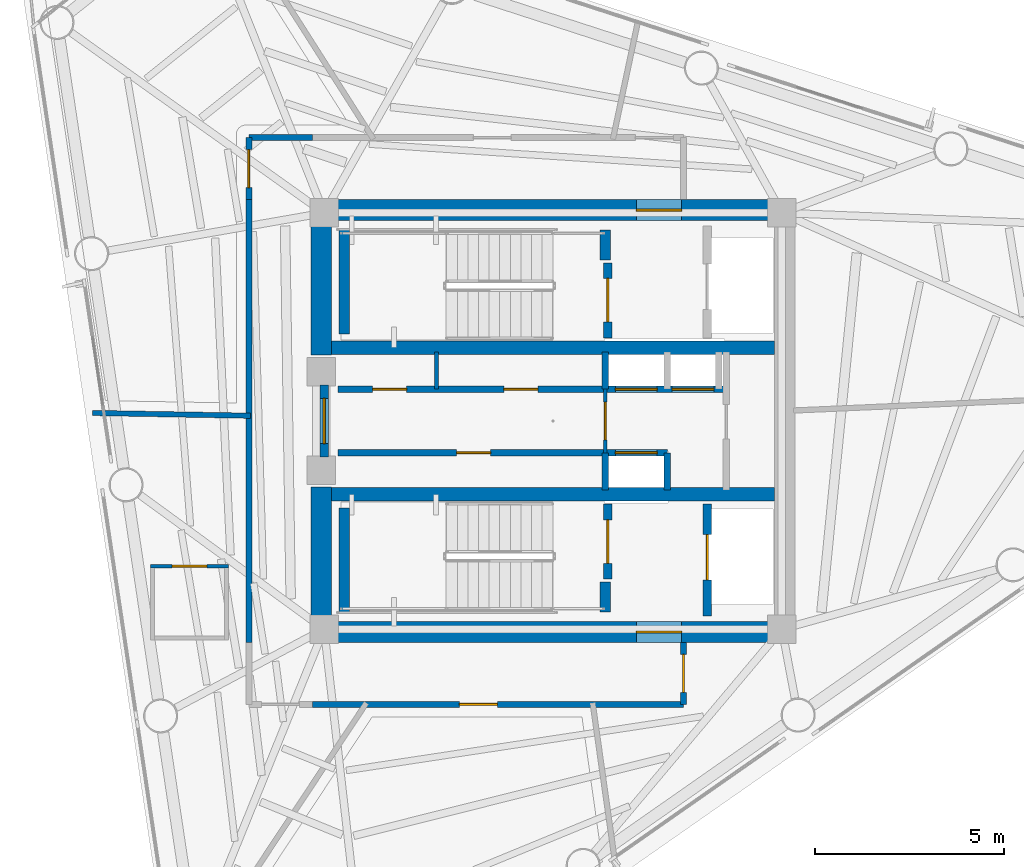
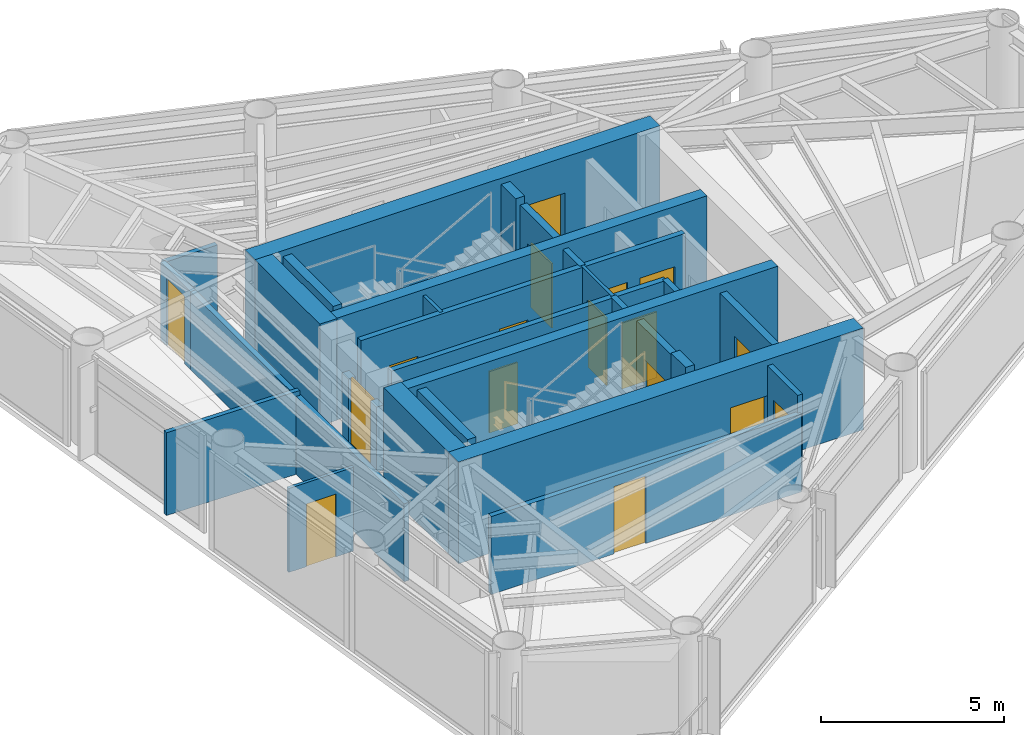
# One storey, part 5 of 10: 28 walls, 17 doors, 17 openings.
"""IFC4 building model written with IfcOpenShell, lengths in metres."""

from ifc_helpers import new_model, si_unit, direction, frame, frame_2d, origin, place, context, subcontext, project, spatial, rectangle, extrude, material, layer, layer_set, type_object, element, fill, save


model = new_model("IFC4")

# Units and contexts
model_context = context("Model", 3, precision=1e-05, world=origin(), true_north=direction((0.0, 1.0)))
body_context = subcontext(model_context, "Body", "Model", "MODEL_VIEW")
ifc_project = project(units=[si_unit("LENGTHUNIT", "METRE"), si_unit("AREAUNIT", "SQUARE_METRE"), si_unit("VOLUMEUNIT", "CUBIC_METRE"), si_unit("PLANEANGLEUNIT", "RADIAN"), si_unit("MASSUNIT", "GRAM", prefix="KILO")], contexts=[model_context])

# Site, building, storey
site_placement = place(None, origin())
site = spatial("IfcSite", under=ifc_project, at=site_placement, CompositionType="ELEMENT")
building_placement = place(site_placement, origin())
building = spatial("IfcBuilding", under=site, at=building_placement, Name="Yunling Apex Tower", CompositionType="ELEMENT")
storey_placement = place(building_placement, frame((0.0, 0.0, 277.949951171875)))
storey = spatial("IfcBuildingStorey", under=building, at=storey_placement, Name="L68", CompositionType="ELEMENT", Elevation=277.949951171875)

# Wall, opening, door
ifc_material_1 = material(Name="Concrete C40", Category="concrete")
ifc_layer_1 = layer(ifc_material_1, 0.550048828125)
ifc_layer_set_1 = layer_set([ifc_layer_1], Name="Concrete C40")
wall_type_1 = type_object("IfcWallType", Name="WL-COR-3", PredefinedType="SHEAR", material=ifc_layer_set_1)
wall_1_placement = place(storey_placement, frame((-6.39990234375, 5.574951171875, 0.0), z_axis=(0.0, 0.0, 1.0), x_axis=(1.0, 0.0, 0.0)))
wall_1 = element("IfcWall", 1, at=wall_1_placement, inside=storey, type_object=wall_type_1, Name="L68 North Core Shear Wall", PredefinedType="SHEAR", context=body_context, shape_type="SweptSolid", body=[
    extrude(rectangle(XDim=12.7998046875, YDim=0.550048828125, at=frame_2d((6.39990234375, 0.0))), origin(), (0.0, 0.0, 1.0), 3.400146484375),
])
opening_1_placement = place(wall_1_placement, frame((8.60009765625, 0.0, 0.0)))
opening_1 = element("IfcOpeningElement", 2, at=opening_1_placement, cuts=wall_1, Name="Opening DR-FFL-1", PredefinedType="OPENING", context=body_context, shape_type="SweptSolid", body=[
    extrude(rectangle(XDim=1.199951171875, YDim=2.199951171875, at=frame_2d((0.60009765625, 1.10009765625))), frame((0.0, 0.28515625, 0.0), z_axis=(0.0, -1.0, 0.0), x_axis=(1.0, 0.0, 0.0)), (0.0, 0.0, 1.0), 0.570068359375),
])
ifc_material_2 = material(Name="Steel Q355B", Category="steel")
door_type_1 = type_object("IfcDoorType", Name="DR-FFL-1", OperationType="NOTDEFINED", PredefinedType="DOOR", material=ifc_material_2)
door_1_placement = place(opening_1_placement, origin())
door_1 = element("IfcDoor", 3, at=door_1_placement, inside=storey, type_object=door_type_1, Name="L68 North Firefighting Lobby Door", OperationType="SINGLE_SWING_LEFT", OverallHeight=2.199951171875, OverallWidth=1.199951171875, PredefinedType="DOOR", context=body_context, shape_type="SweptSolid", body=[
    extrude(rectangle(XDim=1.199951171875, YDim=2.199951171875, at=frame_2d((0.60009765625, 1.10009765625))), frame((0.0, 0.02490234375, 0.0), z_axis=(0.0, -1.0, 0.0), x_axis=(1.0, 0.0, 0.0)), (0.0, 0.0, 1.0), 0.050048828125),
])
fill(opening_1, door_1)

wall_2_placement = place(storey_placement, frame((-6.39990234375, -5.574951171875, 0.0), z_axis=(0.0, 0.0, 1.0), x_axis=(1.0, 0.0, 0.0)))
wall_2 = element("IfcWall", 4, at=wall_2_placement, inside=storey, type_object=wall_type_1, Name="L68 South Core Shear Wall", PredefinedType="SHEAR", context=body_context, shape_type="SweptSolid", body=[
    extrude(rectangle(XDim=12.7998046875, YDim=0.550048828125, at=frame_2d((6.39990234375, 0.0))), origin(), (0.0, 0.0, 1.0), 3.400146484375),
])
opening_2_placement = place(wall_2_placement, frame((8.60009765625, 0.0, 0.0)))
opening_2 = element("IfcOpeningElement", 5, at=opening_2_placement, cuts=wall_2, Name="Opening DR-FFL-1", PredefinedType="OPENING", context=body_context, shape_type="SweptSolid", body=[
    extrude(rectangle(XDim=1.199951171875, YDim=2.199951171875, at=frame_2d((0.60009765625, 1.10009765625))), frame((0.0, 0.28515625, 0.0), z_axis=(0.0, -1.0, 0.0), x_axis=(1.0, 0.0, 0.0)), (0.0, 0.0, 1.0), 0.570068359375),
])
door_2_placement = place(opening_2_placement, origin())
door_2 = element("IfcDoor", 6, at=door_2_placement, inside=storey, type_object=door_type_1, Name="L68 South Firefighting Lobby Door", OperationType="SINGLE_SWING_RIGHT", OverallHeight=2.199951171875, OverallWidth=1.199951171875, PredefinedType="DOOR", context=body_context, shape_type="SweptSolid", body=[
    extrude(rectangle(XDim=1.199951171875, YDim=2.199951171875, at=frame_2d((0.60009765625, 1.10009765625))), frame((0.0, 0.02490234375, 0.0), z_axis=(0.0, -1.0, 0.0), x_axis=(1.0, 0.0, 0.0)), (0.0, 0.0, 1.0), 0.050048828125),
])
fill(opening_2, door_2)

# Walls
for number, where, z_axis, x_axis, name in (
    (7, (-6.125, -5.300048828125, 0.0), (0.0, 0.0, 1.0), (0.0, 1.0, 0.0), "L68 West-South Core Shear Wall"),
    (8, (-6.125, 1.75, 0.0), (0.0, 0.0, 1.0), (0.0, 1.0, 0.0), "L68 West-North Core Shear Wall"),
):
    element("IfcWall", number, at=place(storey_placement, frame(where, z_axis=z_axis, x_axis=x_axis)), inside=storey, type_object=wall_type_1, Name=name, PredefinedType="SHEAR", context=body_context, shape_type="SweptSolid", body=[
        extrude(rectangle(XDim=3.550048828125, YDim=0.550048828125, at=frame_2d((1.77490234375, 0.0))), origin(), (0.0, 0.0, 1.0), 3.400146484375),
    ])
ifc_layer_2 = layer(ifc_material_1, 0.360107421875)
ifc_layer_set_2 = layer_set([ifc_layer_2], Name="Concrete C40")
wall_type_2 = type_object("IfcWallType", Name="WL-COR-4", PredefinedType="SHEAR", material=ifc_layer_set_2)
for number, where, z_axis, x_axis, name in (
    (9, (-5.85009765625, 1.93994140625, 0.0), (0.0, 0.0, 1.0), (1.0, 0.0, 0.0), "L68 North Internal Core Shear Wall"),
    (10, (-5.85009765625, -1.93994140625, 0.0), (0.0, 0.0, 1.0), (1.0, 0.0, 0.0), "L68 South Internal Core Shear Wall"),
):
    element("IfcWall", number, at=place(storey_placement, frame(where, z_axis=z_axis, x_axis=x_axis)), inside=storey, type_object=wall_type_2, Name=name, PredefinedType="SHEAR", context=body_context, shape_type="SweptSolid", body=[
        extrude(rectangle(XDim=11.7001953125, YDim=0.360107421875, at=frame_2d((5.85009765625, 0.0))), origin(), (0.0, 0.0, 1.0), 3.400146484375),
    ])
ifc_layer_3 = layer(ifc_material_1, 0.280029296875)
ifc_layer_set_3 = layer_set([ifc_layer_3], Name="Concrete C40")
wall_type_3 = type_object("IfcWallType", Name="WL-COR-8", PredefinedType="SHEAR", material=ifc_layer_set_3)
wall_3_placement = place(storey_placement, frame((-5.52001953125, 2.300048828125, 0.0), z_axis=(0.0, 0.0, 1.0), x_axis=(0.0, 1.0, 0.0)))
element("IfcWall", 11, at=wall_3_placement, inside=storey, type_object=wall_type_3, Name="L68 ST-1 West Landing Bearing Wall", PredefinedType="SHEAR", context=body_context, shape_type="SweptSolid", body=[
    extrude(rectangle(XDim=2.75, YDim=0.280029296875, at=frame_2d((1.375, 0.0))), origin(), (0.0, 0.0, 1.0), 3.400146484375),
])
wall_4_placement = place(storey_placement, frame((1.3798828125, 4.25, 0.0), z_axis=(0.0, 0.0, 1.0), x_axis=(0.0, 1.0, 0.0)))
element("IfcWall", 12, at=wall_4_placement, inside=storey, type_object=wall_type_3, Name="L68 ST-1 East Landing Bearing Pier", PredefinedType="SHEAR", context=body_context, shape_type="SweptSolid", body=[
    extrude(rectangle(XDim=0.800048828125, YDim=0.280029296875, at=frame_2d((0.39990234375, 0.0))), origin(), (0.0, 0.0, 1.0), 3.400146484375),
])
wall_5_placement = place(storey_placement, frame((-5.52001953125, -5.050048828125, 0.0), z_axis=(0.0, 0.0, 1.0), x_axis=(0.0, 1.0, 0.0)))
element("IfcWall", 13, at=wall_5_placement, inside=storey, type_object=wall_type_3, Name="L68 ST-2 West Landing Bearing Wall", PredefinedType="SHEAR", context=body_context, shape_type="SweptSolid", body=[
    extrude(rectangle(XDim=2.75, YDim=0.280029296875, at=frame_2d((1.375, 0.0))), origin(), (0.0, 0.0, 1.0), 3.400146484375),
])
wall_6_placement = place(storey_placement, frame((1.3798828125, -5.050048828125, 0.0), z_axis=(0.0, 0.0, 1.0), x_axis=(0.0, 1.0, 0.0)))
element("IfcWall", 14, at=wall_6_placement, inside=storey, type_object=wall_type_3, Name="L68 ST-2 East Landing Bearing Pier", PredefinedType="SHEAR", context=body_context, shape_type="SweptSolid", body=[
    extrude(rectangle(XDim=0.800048828125, YDim=0.280029296875, at=frame_2d((0.39990234375, 0.0))), origin(), (0.0, 0.0, 1.0), 3.400146484375),
])

# Wall, opening, door
ifc_material_3 = material(Name="Gypsum board acoustic partition")
ifc_layer_4 = layer(ifc_material_3, 0.159912109375)
ifc_layer_set_4 = layer_set([ifc_layer_4], Name="Gypsum board acoustic partition")
wall_type_4 = type_object("IfcWallType", Name="WL-PRT-1", PredefinedType="PARTITIONING", material=ifc_layer_set_4)
wall_7_placement = place(storey_placement, frame((-8.0400390625, 5.85009765625, 0.0), z_axis=(0.0, 0.0, 1.0), x_axis=(0.0, 1.0, 0.0)))
wall_7 = element("IfcWall", 15, at=wall_7_placement, inside=storey, type_object=wall_type_4, Name="WL-CORR-L68-01", PredefinedType="PARTITIONING", context=body_context, shape_type="SweptSolid", body=[
    extrude(rectangle(XDim=1.639892578125, YDim=0.159912109375, at=frame_2d((0.81982421875, 0.0))), origin(), (0.0, 0.0, 1.0), 2.60498046875),
])
opening_3_placement = place(wall_7_placement, frame((0.320068359375, 0.0, 0.0)))
opening_3 = element("IfcOpeningElement", 16, at=opening_3_placement, cuts=wall_7, Name="Opening DR-OFF-1", PredefinedType="OPENING", context=body_context, shape_type="SweptSolid", body=[
    extrude(rectangle(XDim=1.0, YDim=2.25, at=frame_2d((0.5, 1.125))), frame((0.0, 0.08984375, 0.0), z_axis=(0.0, -1.0, 0.0), x_axis=(1.0, 0.0, 0.0)), (0.0, 0.0, 1.0), 0.179931640625),
])
ifc_material_4 = material(Name="Bronze anodised aluminium", Category="aluminium")
door_type_2 = type_object("IfcDoorType", Name="DR-OFF-1", OperationType="NOTDEFINED", PredefinedType="DOOR", material=ifc_material_4)
door_3_placement = place(opening_3_placement, origin())
door_3 = element("IfcDoor", 17, at=door_3_placement, inside=storey, type_object=door_type_2, Name="L68 Private Tea Kitchen Door", OperationType="SINGLE_SWING_LEFT", OverallHeight=2.25, OverallWidth=1.0, PredefinedType="DOOR", context=body_context, shape_type="SweptSolid", body=[
    extrude(rectangle(XDim=1.0, YDim=2.25, at=frame_2d((0.5, 1.125))), frame((0.0, 0.02490234375, 0.0), z_axis=(0.0, -1.0, 0.0), x_axis=(1.0, 0.0, 0.0)), (0.0, 0.0, 1.0), 0.050048828125),
])
fill(opening_3, door_3)

# Wall
wall_8_placement = place(storey_placement, frame((-8.0400390625, 7.489990234375, 0.0), z_axis=(0.0, 0.0, 1.0), x_axis=(1.0, 0.0, 0.0)))
element("IfcWall", 18, at=wall_8_placement, inside=storey, type_object=wall_type_4, Name="WL-CORR-L68-02", PredefinedType="PARTITIONING", context=body_context, shape_type="SweptSolid", body=[
    extrude(rectangle(XDim=1.679931640625, YDim=0.159912109375, at=frame_2d((0.83984375, 0.0))), origin(), (0.0, 0.0, 1.0), 2.60498046875),
])

# Wall, opening, door
wall_9_placement = place(storey_placement, frame((3.449951171875, -5.85009765625, 0.0), z_axis=(0.0, 0.0, 1.0), x_axis=(0.0, -1.0, 0.0)))
wall_9 = element("IfcWall", 19, at=wall_9_placement, inside=storey, type_object=wall_type_4, Name="WL-CORR-L68-05", PredefinedType="PARTITIONING", context=body_context, shape_type="SweptSolid", body=[
    extrude(rectangle(XDim=1.639892578125, YDim=0.159912109375, at=frame_2d((0.81982421875, 0.0))), origin(), (0.0, 0.0, 1.0), 3.199951171875),
])
opening_4_placement = place(wall_9_placement, frame((0.320068359375, 0.0, 0.0)))
opening_4 = element("IfcOpeningElement", 20, at=opening_4_placement, cuts=wall_9, Name="Opening DR-OFF-1", PredefinedType="OPENING", context=body_context, shape_type="SweptSolid", body=[
    extrude(rectangle(XDim=1.0, YDim=2.25, at=frame_2d((0.5, 1.125))), frame((0.0, 0.08984375, 0.0), z_axis=(0.0, -1.0, 0.0), x_axis=(1.0, 0.0, 0.0)), (0.0, 0.0, 1.0), 0.179931640625),
])
door_4_placement = place(opening_4_placement, origin())
door_4 = element("IfcDoor", 21, at=door_4_placement, inside=storey, type_object=door_type_2, Name="L68 Concierge Reception Foyer Door", OperationType="SINGLE_SWING_RIGHT", OverallHeight=2.25, OverallWidth=1.0, PredefinedType="DOOR", context=body_context, shape_type="SweptSolid", body=[
    extrude(rectangle(XDim=1.0, YDim=2.25, at=frame_2d((0.5, 1.125))), frame((0.0, 0.02490234375, 0.0), z_axis=(0.0, -1.0, 0.0), x_axis=(1.0, 0.0, 0.0)), (0.0, 0.0, 1.0), 0.050048828125),
])
fill(opening_4, door_4)

wall_10_placement = place(storey_placement, frame((3.449951171875, -7.489990234375, 0.0), z_axis=(0.0, 0.0, 1.0), x_axis=(-1.0, 0.0, 0.0)))
wall_10 = element("IfcWall", 22, at=wall_10_placement, inside=storey, type_object=wall_type_4, Name="WL-CORR-L68-06", PredefinedType="PARTITIONING", context=body_context, shape_type="SweptSolid", body=[
    extrude(rectangle(XDim=9.81005859375, YDim=0.159912109375, at=frame_2d((4.905029296875, 0.0))), origin(), (0.0, 0.0, 1.0), 2.60498046875),
])
opening_5_placement = place(wall_10_placement, frame((4.923095703125, 0.0, 0.0)))
opening_5 = element("IfcOpeningElement", 23, at=opening_5_placement, cuts=wall_10, Name="Opening DR-OFF-1", PredefinedType="OPENING", context=body_context, shape_type="SweptSolid", body=[
    extrude(rectangle(XDim=1.0, YDim=2.25, at=frame_2d((0.5, 1.125))), frame((0.0, 0.08984375, 0.0), z_axis=(0.0, -1.0, 0.0), x_axis=(1.0, 0.0, 0.0)), (0.0, 0.0, 1.0), 0.179931640625),
])
door_5_placement = place(opening_5_placement, origin())
door_5 = element("IfcDoor", 24, at=door_5_placement, inside=storey, type_object=door_type_2, Name="L68 Private Tea Kitchen Door", OperationType="SINGLE_SWING_LEFT", OverallHeight=2.25, OverallWidth=1.0, PredefinedType="DOOR", context=body_context, shape_type="SweptSolid", body=[
    extrude(rectangle(XDim=1.0, YDim=2.25, at=frame_2d((0.5, 1.125))), frame((0.0, 0.02490234375, 0.0), z_axis=(0.0, -1.0, 0.0), x_axis=(1.0, 0.0, 0.0)), (0.0, 0.0, 1.0), 0.050048828125),
])
fill(opening_5, door_5)

# Walls
wall_11_placement = place(storey_placement, frame((-8.0400390625, -5.85009765625, 0.0), z_axis=(0.0, 0.0, 1.0), x_axis=(0.0, 1.0, 0.0)))
element("IfcWall", 25, at=wall_11_placement, inside=storey, type_object=wall_type_4, Name="WL-CORR-L68-09", PredefinedType="PARTITIONING", context=body_context, shape_type="SweptSolid", body=[
    extrude(rectangle(XDim=11.7001953125, YDim=0.159912109375, at=frame_2d((5.85009765625, 0.0))), origin(), (0.0, 0.0, 1.0), 2.60498046875),
])
ifc_layer_5 = layer(ifc_material_3, 0.139892578125)
ifc_layer_set_5 = layer_set([ifc_layer_5], Name="Gypsum board acoustic partition")
wall_type_5 = type_object("IfcWallType", Name="WL-PRT-2", PredefinedType="PARTITIONING", material=ifc_layer_set_5)
wall_12_placement = place(storey_placement, frame((-8.0, 0.1396484375, 0.0), z_axis=(0.0, 0.0, 1.0), x_axis=(-0.999848132876, 0.017427311435, 0.0)))
element("IfcWall", 26, at=wall_12_placement, inside=storey, type_object=wall_type_5, Name="WL-RAD-L68-04", PredefinedType="PARTITIONING", context=body_context, shape_type="SweptSolid", body=[
    extrude(rectangle(XDim=4.1748046875, YDim=0.139892578125, at=frame_2d((2.08740234375, 0.0))), origin(), (0.0, 0.0, 1.0), 2.76513671875),
])

# Wall, opening, door
ifc_layer_6 = layer(ifc_material_3, 0.10009765625)
ifc_layer_set_6 = layer_set([ifc_layer_6], Name="Gypsum board acoustic partition")
wall_type_6 = type_object("IfcWallType", Name="WL-PRT-4", PredefinedType="PARTITIONING", material=ifc_layer_set_6)
wall_13_placement = place(storey_placement, frame((1.3798828125, -0.840087890625, 0.0), z_axis=(0.0, 0.0, 1.0), x_axis=(0.0, 1.0, 0.0)))
wall_13 = element("IfcWall", 27, at=wall_13_placement, inside=storey, type_object=wall_type_6, Name="WL-LOB-MID-L68", PredefinedType="PARTITIONING", context=body_context, shape_type="SweptSolid", body=[
    extrude(rectangle(XDim=1.68017578125, YDim=0.10009765625, at=frame_2d((0.840087890625, 0.0))), origin(), (0.0, 0.0, 1.0), 3.199951171875),
])
opening_6_placement = place(wall_13_placement, frame((0.340087890625, 0.0, 0.0)))
opening_6 = element("IfcOpeningElement", 28, at=opening_6_placement, cuts=wall_13, Name="Opening DR-OFF-1", PredefinedType="OPENING", context=body_context, shape_type="SweptSolid", body=[
    extrude(rectangle(XDim=1.0, YDim=2.25, at=frame_2d((0.5, 1.125))), frame((0.0, 0.06005859375, 0.0), z_axis=(0.0, -1.0, 0.0), x_axis=(1.0, 0.0, 0.0)), (0.0, 0.0, 1.0), 0.1201171875),
])
door_6_placement = place(opening_6_placement, origin())
door_6 = element("IfcDoor", 29, at=door_6_placement, inside=storey, type_object=door_type_2, Name="L68 Core Lobby Link Door", OperationType="SINGLE_SWING_LEFT", OverallHeight=2.25, OverallWidth=1.0, PredefinedType="DOOR", context=body_context, shape_type="SweptSolid", body=[
    extrude(rectangle(XDim=1.0, YDim=2.25, at=frame_2d((0.5, 1.125))), frame((0.0, 0.02490234375, 0.0), z_axis=(0.0, -1.0, 0.0), x_axis=(1.0, 0.0, 0.0)), (0.0, 0.0, 1.0), 0.050048828125),
])
fill(opening_6, door_6)

# Wall
wall_14_placement = place(storey_placement, frame((-3.080078125, 0.840087890625, 0.0), z_axis=(0.0, 0.0, 1.0), x_axis=(0.0, 1.0, 0.0)))
element("IfcWall", 30, at=wall_14_placement, inside=storey, type_object=wall_type_6, Name="WL-RECLMB-N-L68", PredefinedType="PARTITIONING", context=body_context, shape_type="SweptSolid", body=[
    extrude(rectangle(XDim=0.97998046875, YDim=0.10009765625, at=frame_2d((0.489990234375, 0.0))), origin(), (0.0, 0.0, 1.0), 3.199951171875),
])

# Wall, opening, door
wall_15_placement = place(storey_placement, frame((-10.632080078125, -3.8369140625, 0.0), z_axis=(0.0, 0.0, 1.0), x_axis=(1.0, 0.0, 0.0)))
wall_15 = element("IfcWall", 31, at=wall_15_placement, inside=storey, type_object=wall_type_6, Name="WL-L68-RWC1N", PredefinedType="PARTITIONING", context=body_context, shape_type="SweptSolid", body=[
    extrude(rectangle(XDim=2.050048828125, YDim=0.10009765625, at=frame_2d((1.02490234375, 0.0))), origin(), (0.0, 0.0, 1.0), 2.804931640625),
])
opening_7_placement = place(wall_15_placement, frame((0.56494140625, 0.0, 0.0)))
opening_7 = element("IfcOpeningElement", 32, at=opening_7_placement, cuts=wall_15, Name="Opening DR-WC-1", PredefinedType="OPENING", context=body_context, shape_type="SweptSolid", body=[
    extrude(rectangle(XDim=0.919921875, YDim=2.10009765625, at=frame_2d((0.4599609375, 1.050048828125))), frame((0.0, 0.06005859375, 0.0), z_axis=(0.0, -1.0, 0.0), x_axis=(1.0, 0.0, 0.0)), (0.0, 0.0, 1.0), 0.1201171875),
])
ifc_material_5 = material(Name="Timber moisture-resistant leaf", Category="wood")
door_type_3 = type_object("IfcDoorType", Name="DR-WC-1", OperationType="NOTDEFINED", PredefinedType="DOOR", material=ifc_material_5)
door_7_placement = place(opening_7_placement, origin())
door_7 = element("IfcDoor", 33, at=door_7_placement, inside=storey, type_object=door_type_3, Name="L68 Accessible WC Door", OperationType="SINGLE_SWING_RIGHT", OverallHeight=2.10009765625, OverallWidth=0.919921875, PredefinedType="DOOR", context=body_context, shape_type="SweptSolid", body=[
    extrude(rectangle(XDim=0.919921875, YDim=2.10009765625, at=frame_2d((0.4599609375, 1.050048828125))), frame((0.0, 0.02490234375, 0.0), z_axis=(0.0, -1.0, 0.0), x_axis=(1.0, 0.0, 0.0)), (0.0, 0.0, 1.0), 0.050048828125),
])
fill(opening_7, door_7)

ifc_material_6 = material(Name="Autoclaved aerated concrete masonry", Category="masonry")
ifc_layer_7 = layer(ifc_material_6, 0.219970703125)
ifc_layer_set_7 = layer_set([ifc_layer_7], Name="Autoclaved aerated concrete masonry")
wall_type_7 = type_object("IfcWallType", Name="WL-SHF-1", PredefinedType="PLUMBINGWALL", material=ifc_layer_set_7)
wall_16_placement = place(storey_placement, frame((-6.050048828125, -0.949951171875, 0.0), z_axis=(0.0, 0.0, 1.0), x_axis=(0.0, 1.0, 0.0)))
wall_16 = element("IfcWall", 34, at=wall_16_placement, inside=storey, type_object=wall_type_7, Name="WL-COR-WPORT-L68", PredefinedType="PLUMBINGWALL", context=body_context, shape_type="SweptSolid", body=[
    extrude(rectangle(XDim=1.89990234375, YDim=0.219970703125, at=frame_2d((0.949951171875, 0.0))), origin(), (0.0, 0.0, 1.0), 2.179931640625),
])
opening_8_placement = place(wall_16_placement, frame((0.35009765625, 0.0, 0.0)))
opening_8 = element("IfcOpeningElement", 35, at=opening_8_placement, cuts=wall_16, Name="Opening DR-FFL-1", PredefinedType="OPENING", context=body_context, shape_type="SweptSolid", body=[
    extrude(rectangle(XDim=1.199951171875, YDim=2.199951171875, at=frame_2d((0.60009765625, 1.10009765625))), frame((0.0, 0.1201171875, 0.0), z_axis=(0.0, -1.0, 0.0), x_axis=(1.0, 0.0, 0.0)), (0.0, 0.0, 1.0), 0.239990234375),
])
door_8_placement = place(opening_8_placement, origin())
door_8 = element("IfcDoor", 36, at=door_8_placement, inside=storey, type_object=door_type_1, Name="L68 Passenger Lift Lobby Entrance Door", OperationType="SINGLE_SWING_LEFT", OverallHeight=2.199951171875, OverallWidth=1.199951171875, PredefinedType="DOOR", context=body_context, shape_type="SweptSolid", body=[
    extrude(rectangle(XDim=1.199951171875, YDim=2.199951171875, at=frame_2d((0.60009765625, 1.10009765625))), frame((0.0, 0.02490234375, 0.0), z_axis=(0.0, -1.0, 0.0), x_axis=(1.0, 0.0, 0.0)), (0.0, 0.0, 1.0), 0.050048828125),
])
fill(opening_8, door_8)

wall_17_placement = place(storey_placement, frame((1.449951171875, 2.199951171875, 0.0), z_axis=(0.0, 0.0, 1.0), x_axis=(0.0, 1.0, 0.0)))
wall_17 = element("IfcWall", 37, at=wall_17_placement, inside=storey, type_object=wall_type_7, Name="WL-ST1-E-L68", PredefinedType="PLUMBINGWALL", context=body_context, shape_type="SweptSolid", body=[
    extrude(rectangle(XDim=1.97998046875, YDim=0.219970703125, at=frame_2d((0.989990234375, 0.0))), origin(), (0.0, 0.0, 1.0), 3.199951171875),
])
opening_9_placement = place(wall_17_placement, frame((0.419921875, 0.0, 0.0)))
opening_9 = element("IfcOpeningElement", 38, at=opening_9_placement, cuts=wall_17, Name="Opening DR-ST-1", PredefinedType="OPENING", context=body_context, shape_type="SweptSolid", body=[
    extrude(rectangle(XDim=1.14990234375, YDim=2.14990234375, at=frame_2d((0.574951171875, 1.074951171875))), frame((0.0, 0.1201171875, 0.0), z_axis=(0.0, -1.0, 0.0), x_axis=(1.0, 0.0, 0.0)), (0.0, 0.0, 1.0), 0.239990234375),
])
door_type_4 = type_object("IfcDoorType", Name="DR-ST-1", OperationType="NOTDEFINED", PredefinedType="DOOR", material=ifc_material_2)
door_9_placement = place(opening_9_placement, origin())
door_9 = element("IfcDoor", 39, at=door_9_placement, inside=storey, type_object=door_type_4, Name="L68 Stair ST-1 Fire Door", OperationType="SINGLE_SWING_LEFT", OverallHeight=2.14990234375, OverallWidth=1.14990234375, PredefinedType="DOOR", context=body_context, shape_type="SweptSolid", body=[
    extrude(rectangle(XDim=1.14990234375, YDim=2.14990234375, at=frame_2d((0.574951171875, 1.074951171875))), frame((0.0, 0.02490234375, 0.0), z_axis=(0.0, -1.0, 0.0), x_axis=(1.0, 0.0, 0.0)), (0.0, 0.0, 1.0), 0.050048828125),
])
fill(opening_9, door_9)

wall_18_placement = place(storey_placement, frame((1.449951171875, -4.179931640625, 0.0), z_axis=(0.0, 0.0, 1.0), x_axis=(0.0, 1.0, 0.0)))
wall_18 = element("IfcWall", 40, at=wall_18_placement, inside=storey, type_object=wall_type_7, Name="WL-ST2-E-L68", PredefinedType="PLUMBINGWALL", context=body_context, shape_type="SweptSolid", body=[
    extrude(rectangle(XDim=1.97998046875, YDim=0.219970703125, at=frame_2d((0.989990234375, 0.0))), origin(), (0.0, 0.0, 1.0), 3.199951171875),
])
opening_10_placement = place(wall_18_placement, frame((0.419921875, 0.0, 0.0)))
opening_10 = element("IfcOpeningElement", 41, at=opening_10_placement, cuts=wall_18, Name="Opening DR-ST-1", PredefinedType="OPENING", context=body_context, shape_type="SweptSolid", body=[
    extrude(rectangle(XDim=1.14990234375, YDim=2.14990234375, at=frame_2d((0.574951171875, 1.074951171875))), frame((0.0, 0.1201171875, 0.0), z_axis=(0.0, -1.0, 0.0), x_axis=(1.0, 0.0, 0.0)), (0.0, 0.0, 1.0), 0.239990234375),
])
door_10_placement = place(opening_10_placement, origin())
door_10 = element("IfcDoor", 42, at=door_10_placement, inside=storey, type_object=door_type_4, Name="L68 Stair ST-2 Fire Door", OperationType="SINGLE_SWING_RIGHT", OverallHeight=2.14990234375, OverallWidth=1.14990234375, PredefinedType="DOOR", context=body_context, shape_type="SweptSolid", body=[
    extrude(rectangle(XDim=1.14990234375, YDim=2.14990234375, at=frame_2d((0.574951171875, 1.074951171875))), frame((0.0, 0.02490234375, 0.0), z_axis=(0.0, -1.0, 0.0), x_axis=(1.0, 0.0, 0.0)), (0.0, 0.0, 1.0), 0.050048828125),
])
fill(opening_10, door_10)

wall_19_placement = place(storey_placement, frame((4.080078125, -5.14990234375, 0.0), z_axis=(0.0, 0.0, 1.0), x_axis=(0.0, 1.0, 0.0)))
wall_19 = element("IfcWall", 43, at=wall_19_placement, inside=storey, type_object=wall_type_7, Name="WL-FFL2-W-L68", PredefinedType="PLUMBINGWALL", context=body_context, shape_type="SweptSolid", body=[
    extrude(rectangle(XDim=2.949951171875, YDim=0.219970703125, at=frame_2d((1.47509765625, 0.0))), origin(), (0.0, 0.0, 1.0), 3.199951171875),
])
opening_11_placement = place(wall_19_placement, frame((0.949951171875, 0.0, 0.0)))
opening_11 = element("IfcOpeningElement", 44, at=opening_11_placement, cuts=wall_19, Name="Opening LD-FFL-1", PredefinedType="OPENING", context=body_context, shape_type="SweptSolid", body=[
    extrude(rectangle(XDim=1.199951171875, YDim=2.25, at=frame_2d((0.60009765625, 1.125))), frame((0.0, 0.1201171875, 0.0), z_axis=(0.0, -1.0, 0.0), x_axis=(1.0, 0.0, 0.0)), (0.0, 0.0, 1.0), 0.239990234375),
])
door_type_5 = type_object("IfcDoorType", Name="LD-FFL-1", OperationType="DOUBLE_DOOR_SLIDING", PredefinedType="DOOR", material=ifc_material_2)
door_11_placement = place(opening_11_placement, origin())
door_11 = element("IfcDoor", 45, at=door_11_placement, inside=storey, type_object=door_type_5, Name="L68 Lift FFL-2 Landing Door", OperationType="DOUBLE_DOOR_SLIDING", OverallHeight=2.25, OverallWidth=1.199951171875, PredefinedType="DOOR", context=body_context, shape_type="SweptSolid", body=[
    extrude(rectangle(XDim=1.199951171875, YDim=2.25, at=frame_2d((0.60009765625, 1.125))), frame((0.0, 0.02490234375, 0.0), z_axis=(0.0, -1.0, 0.0), x_axis=(1.0, 0.0, 0.0)), (0.0, 0.0, 1.0), 0.050048828125),
])
fill(opening_11, door_11)

# Walls
ifc_layer_8 = layer(ifc_material_6, 0.179931640625)
ifc_layer_set_8 = layer_set([ifc_layer_8], Name="Autoclaved aerated concrete masonry")
wall_type_8 = type_object("IfcWallType", Name="WL-SHF-2", PredefinedType="PLUMBINGWALL", material=ifc_layer_set_8)
for number, where, z_axis, x_axis, name in (
    (46, (1.3798828125, 0.840087890625, 0.0), (0.0, 0.0, 1.0), (0.0, 1.0, 0.0), "WL-BNK-MH-N-L68"),
    (47, (1.3798828125, -1.820068359375, 0.0), (0.0, 0.0, 1.0), (0.0, 1.0, 0.0), "WL-BNK-MH-S-L68"),
    (48, (3.02001953125, -1.820068359375, 0.0), (0.0, 0.0, 1.0), (0.0, 1.0, 0.0), "WL-END-H2E-L68"),
):
    element("IfcWall", number, at=place(storey_placement, frame(where, z_axis=z_axis, x_axis=x_axis)), inside=storey, type_object=wall_type_8, Name=name, PredefinedType="PLUMBINGWALL", context=body_context, shape_type="SweptSolid", body=[
        extrude(rectangle(XDim=0.97998046875, YDim=0.179931640625, at=frame_2d((0.489990234375, 0.0))), origin(), (0.0, 0.0, 1.0), 3.199951171875),
    ])

# Wall, openings, doors
wall_20_placement = place(storey_placement, frame((-5.679931640625, 0.840087890625, 0.0), z_axis=(0.0, 0.0, 1.0), x_axis=(1.0, 0.0, 0.0)))
wall_20 = element("IfcWall", 49, at=wall_20_placement, inside=storey, type_object=wall_type_8, Name="WL-LOB-N-L68", PredefinedType="PLUMBINGWALL", context=body_context, shape_type="SweptSolid", body=[
    extrude(rectangle(XDim=10.260009765625, YDim=0.179931640625, at=frame_2d((5.1298828125, 0.0))), origin(), (0.0, 0.0, 1.0), 3.199951171875),
])
opening_12_placement = place(wall_20_placement, frame((0.909912109375, 0.0, 0.0)))
opening_12 = element("IfcOpeningElement", 50, at=opening_12_placement, cuts=wall_20, Name="Opening DR-SHF-1", PredefinedType="OPENING", context=body_context, shape_type="SweptSolid", body=[
    extrude(rectangle(XDim=0.89990234375, YDim=2.050048828125, at=frame_2d((0.449951171875, 1.02490234375))), frame((0.0, 0.10009765625, 0.0), z_axis=(0.0, -1.0, 0.0), x_axis=(1.0, 0.0, 0.0)), (0.0, 0.0, 1.0), 0.199951171875),
])
opening_13_placement = place(wall_20_placement, frame((4.3798828125, 0.0, 0.0)))
opening_13 = element("IfcOpeningElement", 51, at=opening_13_placement, cuts=wall_20, Name="Opening DR-SHF-1", PredefinedType="OPENING", context=body_context, shape_type="SweptSolid", body=[
    extrude(rectangle(XDim=0.89990234375, YDim=2.050048828125, at=frame_2d((0.449951171875, 1.02490234375))), frame((0.0, 0.10009765625, 0.0), z_axis=(0.0, -1.0, 0.0), x_axis=(1.0, 0.0, 0.0)), (0.0, 0.0, 1.0), 0.199951171875),
])
opening_14_placement = place(wall_20_placement, frame((7.330078125, 0.0, 0.0)))
opening_14 = element("IfcOpeningElement", 52, at=opening_14_placement, cuts=wall_20, Name="Opening LD-PAS-1", PredefinedType="OPENING", context=body_context, shape_type="SweptSolid", body=[
    extrude(rectangle(XDim=1.10009765625, YDim=2.199951171875, at=frame_2d((0.550048828125, 1.10009765625))), frame((0.0, 0.10009765625, 0.0), z_axis=(0.0, -1.0, 0.0), x_axis=(1.0, 0.0, 0.0)), (0.0, 0.0, 1.0), 0.199951171875),
])
opening_15_placement = place(wall_20_placement, frame((8.830078125, 0.0, 0.0)))
opening_15 = element("IfcOpeningElement", 53, at=opening_15_placement, cuts=wall_20, Name="Opening LD-PAS-1", PredefinedType="OPENING", context=body_context, shape_type="SweptSolid", body=[
    extrude(rectangle(XDim=1.10009765625, YDim=2.199951171875, at=frame_2d((0.550048828125, 1.10009765625))), frame((0.0, 0.10009765625, 0.0), z_axis=(0.0, -1.0, 0.0), x_axis=(1.0, 0.0, 0.0)), (0.0, 0.0, 1.0), 0.199951171875),
])
door_type_6 = type_object("IfcDoorType", Name="DR-SHF-1", OperationType="NOTDEFINED", PredefinedType="DOOR", material=ifc_material_2)
door_12_placement = place(opening_12_placement, origin())
door_12 = element("IfcDoor", 54, at=door_12_placement, inside=storey, type_object=door_type_6, Name="L68 Switchgear Plant Door", OperationType="SINGLE_SWING_LEFT", OverallHeight=2.050048828125, OverallWidth=0.89990234375, PredefinedType="DOOR", context=body_context, shape_type="SweptSolid", body=[
    extrude(rectangle(XDim=0.89990234375, YDim=2.050048828125, at=frame_2d((0.449951171875, 1.02490234375))), frame((0.0, 0.02490234375, 0.0), z_axis=(0.0, -1.0, 0.0), x_axis=(1.0, 0.0, 0.0)), (0.0, 0.0, 1.0), 0.050048828125),
])
fill(opening_12, door_12)
door_13_placement = place(opening_13_placement, origin())
door_13 = element("IfcDoor", 55, at=door_13_placement, inside=storey, type_object=door_type_6, Name="L68 Valet Storage Door", OperationType="SINGLE_SWING_RIGHT", OverallHeight=2.050048828125, OverallWidth=0.89990234375, PredefinedType="DOOR", context=body_context, shape_type="SweptSolid", body=[
    extrude(rectangle(XDim=0.89990234375, YDim=2.050048828125, at=frame_2d((0.449951171875, 1.02490234375))), frame((0.0, 0.02490234375, 0.0), z_axis=(0.0, -1.0, 0.0), x_axis=(1.0, 0.0, 0.0)), (0.0, 0.0, 1.0), 0.050048828125),
])
fill(opening_13, door_13)
ifc_material_7 = material(Name="Silver anodised aluminium", Category="aluminium")
door_type_7 = type_object("IfcDoorType", Name="LD-PAS-1", OperationType="DOUBLE_DOOR_SLIDING", PredefinedType="DOOR", material=ifc_material_7)
door_14_placement = place(opening_14_placement, origin())
door_14 = element("IfcDoor", 56, at=door_14_placement, inside=storey, type_object=door_type_7, Name="L68 Lift PL-H1 Landing Door", OperationType="DOUBLE_DOOR_SLIDING", OverallHeight=2.199951171875, OverallWidth=1.10009765625, PredefinedType="DOOR", context=body_context, shape_type="SweptSolid", body=[
    extrude(rectangle(XDim=1.10009765625, YDim=2.199951171875, at=frame_2d((0.550048828125, 1.10009765625))), frame((0.0, 0.02490234375, 0.0), z_axis=(0.0, -1.0, 0.0), x_axis=(1.0, 0.0, 0.0)), (0.0, 0.0, 1.0), 0.050048828125),
])
fill(opening_14, door_14)
door_15_placement = place(opening_15_placement, origin())
door_15 = element("IfcDoor", 57, at=door_15_placement, inside=storey, type_object=door_type_7, Name="L68 Lift PL-H3 Landing Door", OperationType="DOUBLE_DOOR_SLIDING", OverallHeight=2.199951171875, OverallWidth=1.10009765625, PredefinedType="DOOR", context=body_context, shape_type="SweptSolid", body=[
    extrude(rectangle(XDim=1.10009765625, YDim=2.199951171875, at=frame_2d((0.550048828125, 1.10009765625))), frame((0.0, 0.02490234375, 0.0), z_axis=(0.0, -1.0, 0.0), x_axis=(1.0, 0.0, 0.0)), (0.0, 0.0, 1.0), 0.050048828125),
])
fill(opening_15, door_15)

wall_21_placement = place(storey_placement, frame((-5.679931640625, -0.840087890625, 0.0), z_axis=(0.0, 0.0, 1.0), x_axis=(1.0, 0.0, 0.0)))
wall_21 = element("IfcWall", 58, at=wall_21_placement, inside=storey, type_object=wall_type_8, Name="WL-LOB-S-L68", PredefinedType="PLUMBINGWALL", context=body_context, shape_type="SweptSolid", body=[
    extrude(rectangle(XDim=8.699951171875, YDim=0.179931640625, at=frame_2d((4.35009765625, 0.0))), origin(), (0.0, 0.0, 1.0), 3.199951171875),
])
opening_16_placement = place(wall_21_placement, frame((3.1298828125, 0.0, 0.0)))
opening_16 = element("IfcOpeningElement", 59, at=opening_16_placement, cuts=wall_21, Name="Opening DR-SHF-1", PredefinedType="OPENING", context=body_context, shape_type="SweptSolid", body=[
    extrude(rectangle(XDim=0.89990234375, YDim=2.050048828125, at=frame_2d((0.449951171875, 1.02490234375))), frame((0.0, 0.10009765625, 0.0), z_axis=(0.0, -1.0, 0.0), x_axis=(1.0, 0.0, 0.0)), (0.0, 0.0, 1.0), 0.199951171875),
])
opening_17_placement = place(wall_21_placement, frame((7.330078125, 0.0, 0.0)))
opening_17 = element("IfcOpeningElement", 60, at=opening_17_placement, cuts=wall_21, Name="Opening LD-PAS-1", PredefinedType="OPENING", context=body_context, shape_type="SweptSolid", body=[
    extrude(rectangle(XDim=1.10009765625, YDim=2.199951171875, at=frame_2d((0.550048828125, 1.10009765625))), frame((0.0, 0.10009765625, 0.0), z_axis=(0.0, -1.0, 0.0), x_axis=(1.0, 0.0, 0.0)), (0.0, 0.0, 1.0), 0.199951171875),
])
door_16_placement = place(opening_16_placement, origin())
door_16 = element("IfcDoor", 61, at=door_16_placement, inside=storey, type_object=door_type_6, Name="L68 BMS Plant Door", OperationType="SINGLE_SWING_LEFT", OverallHeight=2.050048828125, OverallWidth=0.89990234375, PredefinedType="DOOR", context=body_context, shape_type="SweptSolid", body=[
    extrude(rectangle(XDim=0.89990234375, YDim=2.050048828125, at=frame_2d((0.449951171875, 1.02490234375))), frame((0.0, 0.02490234375, 0.0), z_axis=(0.0, -1.0, 0.0), x_axis=(1.0, 0.0, 0.0)), (0.0, 0.0, 1.0), 0.050048828125),
])
fill(opening_16, door_16)
door_17_placement = place(opening_17_placement, origin())
door_17 = element("IfcDoor", 62, at=door_17_placement, inside=storey, type_object=door_type_7, Name="L68 Lift PL-H2 Landing Door", OperationType="DOUBLE_DOOR_SLIDING", OverallHeight=2.199951171875, OverallWidth=1.10009765625, PredefinedType="DOOR", context=body_context, shape_type="SweptSolid", body=[
    extrude(rectangle(XDim=1.10009765625, YDim=2.199951171875, at=frame_2d((0.550048828125, 1.10009765625))), frame((0.0, 0.02490234375, 0.0), z_axis=(0.0, -1.0, 0.0), x_axis=(1.0, 0.0, 0.0)), (0.0, 0.0, 1.0), 0.050048828125),
])
fill(opening_17, door_17)

save(model, "model.ifc")
